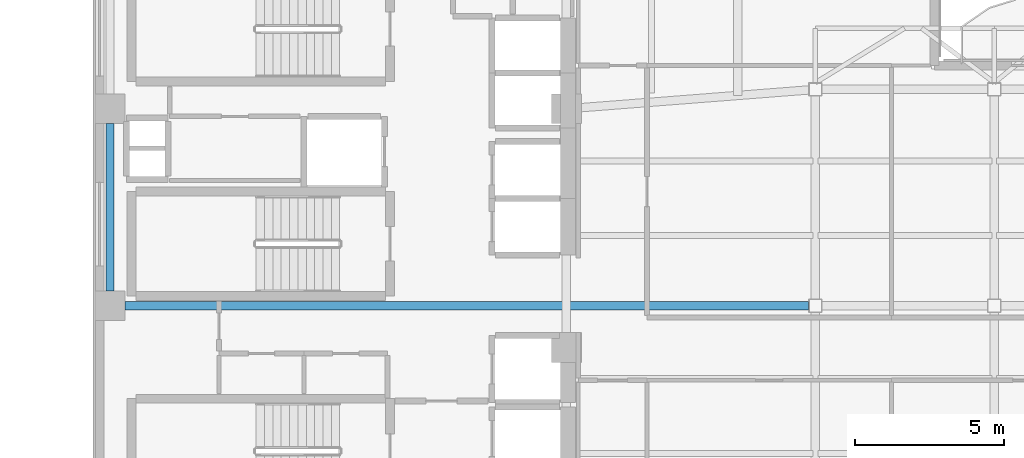
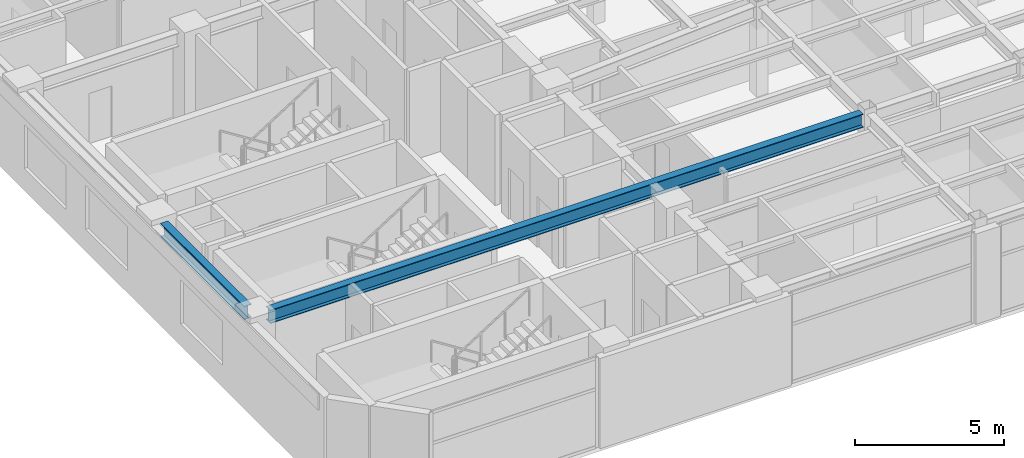
# One storey, part 3 of 17: 2 beams.
"""IFC4 building model written with IfcOpenShell, lengths in metres."""

from ifc_helpers import new_model, si_unit, direction, frame, origin, origin_2d, place, context, subcontext, project, spatial, i_section, extrude, material, material_profile, profile_set, type_object, element, save


model = new_model("IFC4")

# Units and contexts
model_context = context("Model", 3, precision=1e-05, world=origin(), true_north=direction((0.0, 1.0)))
body_context = subcontext(model_context, "Body", "Model", "MODEL_VIEW")
ifc_project = project(units=[si_unit("LENGTHUNIT", "METRE"), si_unit("AREAUNIT", "SQUARE_METRE"), si_unit("VOLUMEUNIT", "CUBIC_METRE"), si_unit("PLANEANGLEUNIT", "RADIAN"), si_unit("MASSUNIT", "GRAM", prefix="KILO")], contexts=[model_context])

# Site, building, storey
site_placement = place(None, origin())
site = spatial("IfcSite", under=ifc_project, at=site_placement, CompositionType="ELEMENT")
building_placement = place(site_placement, origin())
building = spatial("IfcBuilding", under=site, at=building_placement, Name="Mawjaban Terraces University", CompositionType="ELEMENT")
storey_placement = place(building_placement, frame((0.0, 0.0, 183.60009765625)))
storey = spatial("IfcBuildingStorey", under=building, at=storey_placement, Name="L44", CompositionType="ELEMENT", Elevation=183.60009765625)

# Beams
ifc_material = material(Name="Steel ASTM A572 Grade 50", Category="steel")
ifc_material_profile = material_profile(ifc_material, i_section(OverallWidth=0.281005859375, OverallDepth=0.551025390625, WebThickness=0.01513671875, FlangeThickness=0.02587890625, at=origin_2d()), Name="W530X182")
ifc_profile_set = profile_set([ifc_material_profile], Name="Steel ASTM A572 Grade 50")
beam_type = type_object("IfcBeamType", Name="Beam_B_W530X182", PredefinedType="BEAM", material=ifc_profile_set)
beam_1_placement = place(storey_placement, frame((22.85009765625, 7.949951171875, 3.413818359375), z_axis=(1.0, 0.0, 0.0), x_axis=(0.0, 1.0, 0.0)))
element("IfcBeam", 1, at=beam_1_placement, inside=storey, type_object=beam_type, Name="L44 Beam BM-L44-EW-04", PredefinedType="BEAM", context=body_context, shape_type="SweptSolid", body=[
    extrude(i_section(OverallWidth=0.281005859375, OverallDepth=0.551025390625, WebThickness=0.01513671875, FlangeThickness=0.02587890625, at=origin_2d()), origin(), (0.0, 0.0, 1.0), 22.9248046875),
])
beam_2_placement = place(storey_placement, frame((22.35009765625, 8.449951171875, 3.413818359375), z_axis=(0.0, 1.0, 0.0), x_axis=(-1.0, 0.0, 0.0)))
element("IfcBeam", 2, at=beam_2_placement, inside=storey, type_object=beam_type, Name="L44 Beam BM-L44-NS-01", PredefinedType="BEAM", context=body_context, shape_type="SweptSolid", body=[
    extrude(i_section(OverallWidth=0.281005859375, OverallDepth=0.551025390625, WebThickness=0.01513671875, FlangeThickness=0.02587890625, at=origin_2d()), origin(), (0.0, 0.0, 1.0), 5.60009765625),
])

save(model, "model.ifc")
